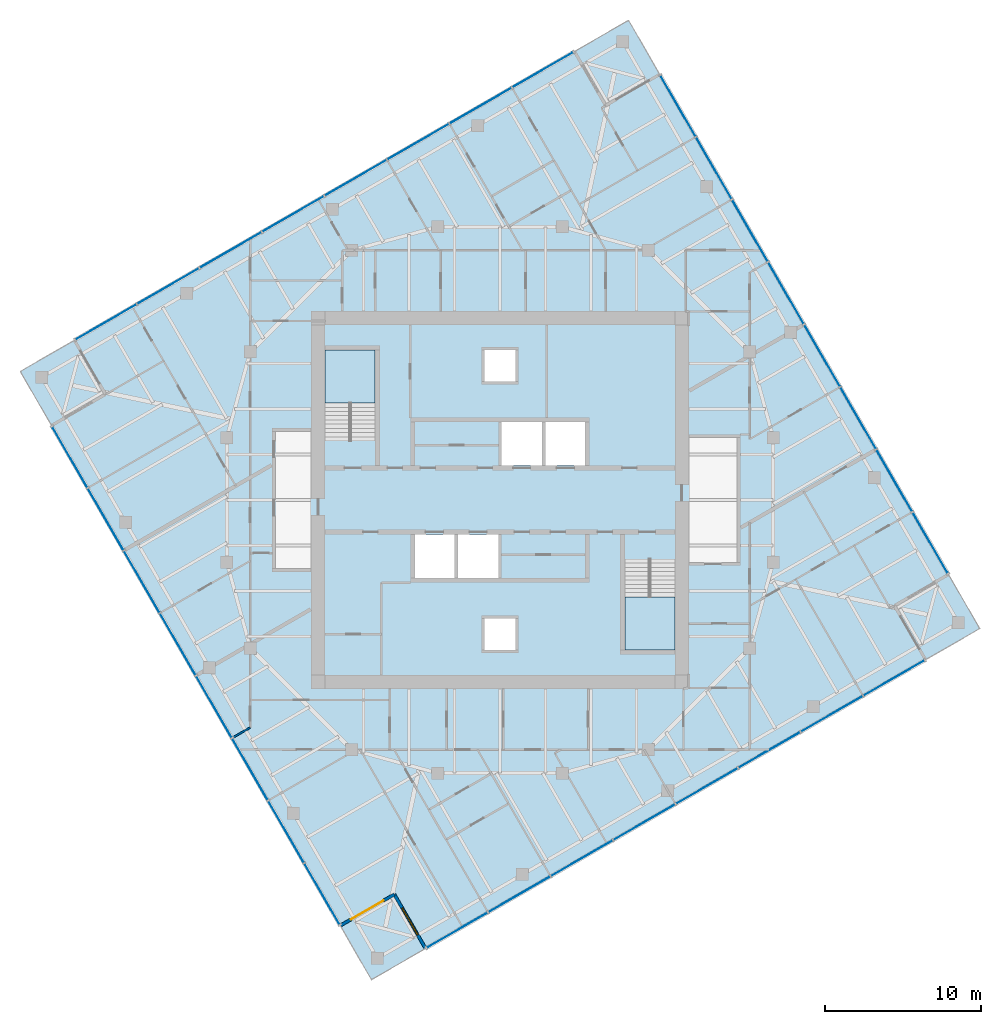
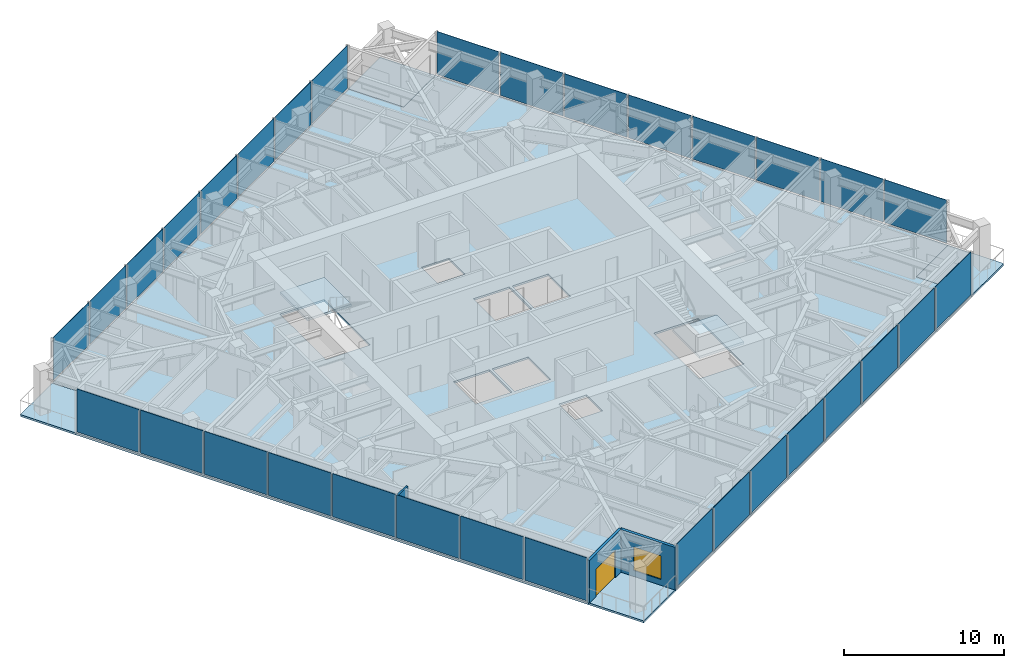
# One storey, part 6 of 12: 32 plates, 7 slabs, 3 walls, 1 door, 1 window, 2 openings, 6 elements without a shape of their own.
"""IFC4 building model written with IfcOpenShell, lengths in metres."""

from ifc_helpers import new_model, si_unit, direction, frame, frame_2d, origin, origin_2d, place, context, subcontext, project, spatial, polyline, rectangle, outline, extrude, material, layer, layer_set, type_object, element, fill, aggregate, save


model = new_model("IFC4")

# Units and contexts
model_context = context("Model", 3, precision=1e-05, world=origin(), true_north=direction((0.0, 1.0)))
body_context = subcontext(model_context, "Body", "Model", "MODEL_VIEW")
ifc_project = project(units=[si_unit("LENGTHUNIT", "METRE"), si_unit("AREAUNIT", "SQUARE_METRE"), si_unit("VOLUMEUNIT", "CUBIC_METRE"), si_unit("PLANEANGLEUNIT", "RADIAN"), si_unit("MASSUNIT", "GRAM", prefix="KILO")], contexts=[model_context])

# Site, building, storey
site_placement = place(None, origin())
site = spatial("IfcSite", under=ifc_project, at=site_placement, CompositionType="ELEMENT")
building_placement = place(site_placement, origin())
building = spatial("IfcBuilding", under=site, at=building_placement, Name="Torsade Residences", CompositionType="ELEMENT")
storey_placement = place(building_placement, frame((0.0, 0.0, 221.800048828125)))
storey = spatial("IfcBuildingStorey", under=building, at=storey_placement, Name="L61", CompositionType="ELEMENT", Elevation=221.800048828125)

# Slab
ifc_material_1 = material(Name="Concrete 40 MPa", Category="concrete")
ifc_layer_1 = layer(ifc_material_1, 0.14990234375)
ifc_layer_set_1 = layer_set([ifc_layer_1], Name="Concrete 40 MPa")
slab_type_1 = type_object("IfcSlabType", Name="COMPOSITE FLOOR SLAB 150", PredefinedType="FLOOR", material=ifc_layer_set_1)
slab_1_placement = place(storey_placement, frame((0.0, 0.0, -0.150146484375)))
element("IfcSlab", 1, at=slab_1_placement, inside=storey, type_object=slab_type_1, Name="Floor slab L61", PredefinedType="FLOOR", context=body_context, shape_type="SweptSolid", body=[
    extrude(outline(polyline([(35.228515625, 1.264404296875), (67.271484375, 19.764404296875), (65.271484375, 23.228515625), (68.735595703125, 25.228515625), (50.235595703125, 57.271484375), (46.771484375, 55.271484375), (44.771484375, 58.735595703125), (12.728515625, 40.235595703125), (14.728515625, 36.771484375), (11.264404296875, 34.771484375), (29.764404296875, 2.728515625), (33.228515625, 4.728515625), (35.228515625, 1.264404296875)]), holes=[polyline([(51.199951171875, 26.1201171875), (48.0, 26.1201171875), (48.0, 20.39990234375), (51.199951171875, 20.39990234375), (51.199951171875, 26.1201171875)]), polyline([(45.5, 35.0), (42.89990234375, 35.0), (42.89990234375, 32.199951171875), (45.5, 32.199951171875), (45.5, 35.0)]), polyline([(42.699951171875, 35.0), (40.10009765625, 35.0), (40.10009765625, 32.199951171875), (42.699951171875, 32.199951171875), (42.699951171875, 35.0)]), polyline([(41.0, 22.39990234375), (39.0, 22.39990234375), (39.0, 20.39990234375), (41.0, 20.39990234375), (41.0, 22.39990234375)]), polyline([(41.0, 39.60009765625), (39.0, 39.60009765625), (39.0, 37.60009765625), (41.0, 37.60009765625), (41.0, 39.60009765625)]), polyline([(39.89990234375, 27.800048828125), (37.300048828125, 27.800048828125), (37.300048828125, 25.0), (39.89990234375, 25.0), (39.89990234375, 27.800048828125)]), polyline([(37.10009765625, 27.800048828125), (34.5, 27.800048828125), (34.5, 25.0), (37.10009765625, 25.0), (37.10009765625, 27.800048828125)]), polyline([(32.0, 39.60009765625), (28.800048828125, 39.60009765625), (28.800048828125, 33.8798828125), (32.0, 33.8798828125), (32.0, 39.60009765625)])]), origin(), (0.0, 0.0, 1.0), 0.150146484375),
])

# Curtain wall, plates
ifc_material_2 = material(Name="Aluminium and glass", Category="aluminium")
curtain_wall_type = type_object("IfcCurtainWallType", Name="FRITTED GLASS CURTAIN WALL HIGH ZONE", PredefinedType="NOTDEFINED", material=ifc_material_2)
curtain_wall_1_placement = place(storey_placement, origin())
curtain_wall_1 = element("IfcCurtainWall", 2, at=curtain_wall_1_placement, inside=storey, type_object=curtain_wall_type, Name="Curtain wall L61 face 1", PredefinedType="NOTDEFINED")
ifc_material_3 = material(Name="Laminated glass", Category="glass")
ifc_layer_2 = layer(ifc_material_3, 0.031982421875)
ifc_layer_set_2 = layer_set([ifc_layer_2], Name="Laminated glass")
plate_type_1 = type_object("IfcPlateType", Name="FRITTED GLASS PANEL", PredefinedType="CURTAIN_PANEL", material=ifc_layer_set_2)
plate_1_placement = place(storey_placement, frame((37.2529296875, 2.43310546875, 0.1201171875), z_axis=(0.0, 0.0, 1.0), x_axis=(0.866025404186, 0.499999999305, 0.0)))
plate_1 = element("IfcPlate", 3, at=plate_1_placement, type_object=plate_type_1, Name="Panel 1", PredefinedType="CURTAIN_PANEL", context=body_context, shape_type="SweptSolid", body=[
    extrude(rectangle(XDim=4.47509765625, YDim=0.031982421875, at=origin_2d()), origin(), (0.0, 0.0, 1.0), 3.280029296875),
])
plate_2_placement = place(storey_placement, frame((45.241943359375, 7.045654296875, 0.1201171875), z_axis=(0.0, 0.0, 1.0), x_axis=(0.866025404186, 0.499999999305, 0.0)))
plate_2 = element("IfcPlate", 4, at=plate_2_placement, type_object=plate_type_1, Name="Panel 3", PredefinedType="CURTAIN_PANEL", context=body_context, shape_type="SweptSolid", body=[
    extrude(rectangle(XDim=4.52490234375, YDim=0.031982421875, at=origin_2d()), origin(), (0.0, 0.0, 1.0), 3.280029296875),
])
plate_3_placement = place(storey_placement, frame((49.247314453125, 9.358154296875, 0.1201171875), z_axis=(0.0, 0.0, 1.0), x_axis=(0.866025404186, 0.499999999305, 0.0)))
plate_3 = element("IfcPlate", 5, at=plate_3_placement, type_object=plate_type_1, Name="Panel 4", PredefinedType="CURTAIN_PANEL", context=body_context, shape_type="SweptSolid", body=[
    extrude(rectangle(XDim=4.52490234375, YDim=0.031982421875, at=origin_2d()), origin(), (0.0, 0.0, 1.0), 3.280029296875),
])
plate_4_placement = place(storey_placement, frame((53.252685546875, 11.670654296875, 0.1201171875), z_axis=(0.0, 0.0, 1.0), x_axis=(0.866025404186, 0.499999999305, 0.0)))
plate_4 = element("IfcPlate", 6, at=plate_4_placement, type_object=plate_type_1, Name="Panel 5", PredefinedType="CURTAIN_PANEL", context=body_context, shape_type="SweptSolid", body=[
    extrude(rectangle(XDim=4.52490234375, YDim=0.031982421875, at=origin_2d()), origin(), (0.0, 0.0, 1.0), 3.280029296875),
])
plate_5_placement = place(storey_placement, frame((61.263427734375, 16.295654296875, 0.1201171875), z_axis=(0.0, 0.0, 1.0), x_axis=(0.866025404186, 0.499999999305, 0.0)))
plate_5 = element("IfcPlate", 7, at=plate_5_placement, type_object=plate_type_1, Name="Panel 7", PredefinedType="CURTAIN_PANEL", context=body_context, shape_type="SweptSolid", body=[
    extrude(rectangle(XDim=4.52490234375, YDim=0.031982421875, at=origin_2d()), origin(), (0.0, 0.0, 1.0), 3.280029296875),
])
plate_6_placement = place(storey_placement, frame((65.2470703125, 18.595703125, 0.1201171875), z_axis=(0.0, 0.0, 1.0), x_axis=(0.866025404186, 0.499999999305, 0.0)))
plate_6 = element("IfcPlate", 8, at=plate_6_placement, type_object=plate_type_1, Name="Panel 8", PredefinedType="CURTAIN_PANEL", context=body_context, shape_type="SweptSolid", body=[
    extrude(rectangle(XDim=4.47509765625, YDim=0.031982421875, at=origin_2d()), origin(), (0.0, 0.0, 1.0), 3.280029296875),
])

curtain_wall_2_placement = place(storey_placement, origin())
curtain_wall_2 = element("IfcCurtainWall", 9, at=curtain_wall_2_placement, inside=storey, type_object=curtain_wall_type, Name="Curtain wall L61 face 4", PredefinedType="NOTDEFINED")
plate_7_placement = place(storey_placement, frame((67.56689453125, 27.2529296875, 0.1201171875), z_axis=(0.0, 0.0, 1.0), x_axis=(-0.499999999305, 0.866025404186, 0.0)))
plate_7 = element("IfcPlate", 10, at=plate_7_placement, type_object=plate_type_1, Name="Panel 1", PredefinedType="CURTAIN_PANEL", context=body_context, shape_type="SweptSolid", body=[
    extrude(rectangle(XDim=4.47509765625, YDim=0.031982421875, at=origin_2d()), origin(), (0.0, 0.0, 1.0), 3.280029296875),
])
plate_8_placement = place(storey_placement, frame((62.954345703125, 35.241943359375, 0.1201171875), z_axis=(0.0, 0.0, 1.0), x_axis=(-0.499999999305, 0.866025404186, 0.0)))
plate_8 = element("IfcPlate", 11, at=plate_8_placement, type_object=plate_type_1, Name="Panel 3", PredefinedType="CURTAIN_PANEL", context=body_context, shape_type="SweptSolid", body=[
    extrude(rectangle(XDim=4.52490234375, YDim=0.031982421875, at=origin_2d()), origin(), (0.0, 0.0, 1.0), 3.280029296875),
])
plate_9_placement = place(storey_placement, frame((60.641845703125, 39.247314453125, 0.1201171875), z_axis=(0.0, 0.0, 1.0), x_axis=(-0.499999999305, 0.866025404186, 0.0)))
plate_9 = element("IfcPlate", 12, at=plate_9_placement, type_object=plate_type_1, Name="Panel 4", PredefinedType="CURTAIN_PANEL", context=body_context, shape_type="SweptSolid", body=[
    extrude(rectangle(XDim=4.52490234375, YDim=0.031982421875, at=origin_2d()), origin(), (0.0, 0.0, 1.0), 3.280029296875),
])
plate_10_placement = place(storey_placement, frame((58.329345703125, 43.252685546875, 0.1201171875), z_axis=(0.0, 0.0, 1.0), x_axis=(-0.499999999305, 0.866025404186, 0.0)))
plate_10 = element("IfcPlate", 13, at=plate_10_placement, type_object=plate_type_1, Name="Panel 5", PredefinedType="CURTAIN_PANEL", context=body_context, shape_type="SweptSolid", body=[
    extrude(rectangle(XDim=4.52490234375, YDim=0.031982421875, at=origin_2d()), origin(), (0.0, 0.0, 1.0), 3.280029296875),
])
plate_11_placement = place(storey_placement, frame((53.704345703125, 51.263427734375, 0.1201171875), z_axis=(0.0, 0.0, 1.0), x_axis=(-0.499999999305, 0.866025404186, 0.0)))
plate_11 = element("IfcPlate", 14, at=plate_11_placement, type_object=plate_type_1, Name="Panel 7", PredefinedType="CURTAIN_PANEL", context=body_context, shape_type="SweptSolid", body=[
    extrude(rectangle(XDim=4.52490234375, YDim=0.031982421875, at=origin_2d()), origin(), (0.0, 0.0, 1.0), 3.280029296875),
])
plate_12_placement = place(storey_placement, frame((51.404296875, 55.2470703125, 0.1201171875), z_axis=(0.0, 0.0, 1.0), x_axis=(-0.499999999305, 0.866025404186, 0.0)))
plate_12 = element("IfcPlate", 15, at=plate_12_placement, type_object=plate_type_1, Name="Panel 8", PredefinedType="CURTAIN_PANEL", context=body_context, shape_type="SweptSolid", body=[
    extrude(rectangle(XDim=4.47509765625, YDim=0.031982421875, at=origin_2d()), origin(), (0.0, 0.0, 1.0), 3.280029296875),
])

curtain_wall_3_placement = place(storey_placement, origin())
curtain_wall_3 = element("IfcCurtainWall", 16, at=curtain_wall_3_placement, inside=storey, type_object=curtain_wall_type, Name="Curtain wall L61 face 7", PredefinedType="NOTDEFINED")
plate_13_placement = place(storey_placement, frame((42.7470703125, 57.56689453125, 0.1201171875), z_axis=(0.0, 0.0, 1.0), x_axis=(-0.866025404186, -0.499999999305, 0.0)))
plate_13 = element("IfcPlate", 17, at=plate_13_placement, type_object=plate_type_1, Name="Panel 1", PredefinedType="CURTAIN_PANEL", context=body_context, shape_type="SweptSolid", body=[
    extrude(rectangle(XDim=4.47509765625, YDim=0.031982421875, at=origin_2d()), origin(), (0.0, 0.0, 1.0), 3.280029296875),
])
plate_14_placement = place(storey_placement, frame((34.758056640625, 52.954345703125, 0.1201171875), z_axis=(0.0, 0.0, 1.0), x_axis=(-0.866025404186, -0.499999999305, 0.0)))
plate_14 = element("IfcPlate", 18, at=plate_14_placement, type_object=plate_type_1, Name="Panel 3", PredefinedType="CURTAIN_PANEL", context=body_context, shape_type="SweptSolid", body=[
    extrude(rectangle(XDim=4.52490234375, YDim=0.031982421875, at=origin_2d()), origin(), (0.0, 0.0, 1.0), 3.280029296875),
])
plate_15_placement = place(storey_placement, frame((30.752685546875, 50.641845703125, 0.1201171875), z_axis=(0.0, 0.0, 1.0), x_axis=(-0.866025404186, -0.499999999305, 0.0)))
plate_15 = element("IfcPlate", 19, at=plate_15_placement, type_object=plate_type_1, Name="Panel 4", PredefinedType="CURTAIN_PANEL", context=body_context, shape_type="SweptSolid", body=[
    extrude(rectangle(XDim=4.52490234375, YDim=0.031982421875, at=origin_2d()), origin(), (0.0, 0.0, 1.0), 3.280029296875),
])
plate_16_placement = place(storey_placement, frame((26.747314453125, 48.329345703125, 0.1201171875), z_axis=(0.0, 0.0, 1.0), x_axis=(-0.866025404186, -0.499999999305, 0.0)))
plate_16 = element("IfcPlate", 20, at=plate_16_placement, type_object=plate_type_1, Name="Panel 5", PredefinedType="CURTAIN_PANEL", context=body_context, shape_type="SweptSolid", body=[
    extrude(rectangle(XDim=4.52490234375, YDim=0.031982421875, at=origin_2d()), origin(), (0.0, 0.0, 1.0), 3.280029296875),
])
plate_17_placement = place(storey_placement, frame((18.736572265625, 43.704345703125, 0.1201171875), z_axis=(0.0, 0.0, 1.0), x_axis=(-0.866025404186, -0.499999999305, 0.0)))
plate_17 = element("IfcPlate", 21, at=plate_17_placement, type_object=plate_type_1, Name="Panel 7", PredefinedType="CURTAIN_PANEL", context=body_context, shape_type="SweptSolid", body=[
    extrude(rectangle(XDim=4.52490234375, YDim=0.031982421875, at=origin_2d()), origin(), (0.0, 0.0, 1.0), 3.280029296875),
])
plate_18_placement = place(storey_placement, frame((14.7529296875, 41.404296875, 0.1201171875), z_axis=(0.0, 0.0, 1.0), x_axis=(-0.866025404186, -0.499999999305, 0.0)))
plate_18 = element("IfcPlate", 22, at=plate_18_placement, type_object=plate_type_1, Name="Panel 8", PredefinedType="CURTAIN_PANEL", context=body_context, shape_type="SweptSolid", body=[
    extrude(rectangle(XDim=4.47509765625, YDim=0.031982421875, at=origin_2d()), origin(), (0.0, 0.0, 1.0), 3.280029296875),
])

curtain_wall_4_placement = place(storey_placement, origin())
curtain_wall_4 = element("IfcCurtainWall", 23, at=curtain_wall_4_placement, inside=storey, type_object=curtain_wall_type, Name="Curtain wall L61 face 10", PredefinedType="NOTDEFINED")
plate_19_placement = place(storey_placement, frame((12.43310546875, 32.7470703125, 0.1201171875), z_axis=(0.0, 0.0, 1.0), x_axis=(0.499999999305, -0.866025404186, 0.0)))
plate_19 = element("IfcPlate", 24, at=plate_19_placement, type_object=plate_type_1, Name="Panel 1", PredefinedType="CURTAIN_PANEL", context=body_context, shape_type="SweptSolid", body=[
    extrude(rectangle(XDim=4.47509765625, YDim=0.031982421875, at=origin_2d()), origin(), (0.0, 0.0, 1.0), 3.280029296875),
])
plate_20_placement = place(storey_placement, frame((17.045654296875, 24.758056640625, 0.1201171875), z_axis=(0.0, 0.0, 1.0), x_axis=(0.499999999305, -0.866025404186, 0.0)))
plate_20 = element("IfcPlate", 25, at=plate_20_placement, type_object=plate_type_1, Name="Panel 3", PredefinedType="CURTAIN_PANEL", context=body_context, shape_type="SweptSolid", body=[
    extrude(rectangle(XDim=4.52490234375, YDim=0.031982421875, at=origin_2d()), origin(), (0.0, 0.0, 1.0), 3.280029296875),
])
plate_21_placement = place(storey_placement, frame((19.358154296875, 20.752685546875, 0.1201171875), z_axis=(0.0, 0.0, 1.0), x_axis=(0.499999999305, -0.866025404186, 0.0)))
plate_21 = element("IfcPlate", 26, at=plate_21_placement, type_object=plate_type_1, Name="Panel 4", PredefinedType="CURTAIN_PANEL", context=body_context, shape_type="SweptSolid", body=[
    extrude(rectangle(XDim=4.52490234375, YDim=0.031982421875, at=origin_2d()), origin(), (0.0, 0.0, 1.0), 3.280029296875),
])
plate_22_placement = place(storey_placement, frame((21.670654296875, 16.747314453125, 0.1201171875), z_axis=(0.0, 0.0, 1.0), x_axis=(0.499999999305, -0.866025404186, 0.0)))
plate_22 = element("IfcPlate", 27, at=plate_22_placement, type_object=plate_type_1, Name="Panel 5", PredefinedType="CURTAIN_PANEL", context=body_context, shape_type="SweptSolid", body=[
    extrude(rectangle(XDim=4.52490234375, YDim=0.031982421875, at=origin_2d()), origin(), (0.0, 0.0, 1.0), 3.280029296875),
])
plate_23_placement = place(storey_placement, frame((26.295654296875, 8.736572265625, 0.1201171875), z_axis=(0.0, 0.0, 1.0), x_axis=(0.499999999305, -0.866025404186, 0.0)))
plate_23 = element("IfcPlate", 28, at=plate_23_placement, type_object=plate_type_1, Name="Panel 7", PredefinedType="CURTAIN_PANEL", context=body_context, shape_type="SweptSolid", body=[
    extrude(rectangle(XDim=4.52490234375, YDim=0.031982421875, at=origin_2d()), origin(), (0.0, 0.0, 1.0), 3.280029296875),
])
plate_24_placement = place(storey_placement, frame((28.595703125, 4.7529296875, 0.1201171875), z_axis=(0.0, 0.0, 1.0), x_axis=(0.499999999305, -0.866025404186, 0.0)))
plate_24 = element("IfcPlate", 29, at=plate_24_placement, type_object=plate_type_1, Name="Panel 8", PredefinedType="CURTAIN_PANEL", context=body_context, shape_type="SweptSolid", body=[
    extrude(rectangle(XDim=4.47509765625, YDim=0.031982421875, at=origin_2d()), origin(), (0.0, 0.0, 1.0), 3.280029296875),
])

# Plate
ifc_material_4 = material(Name="Laminated glass", Category="glass")
ifc_layer_3 = layer(ifc_material_4, 0.0400390625)
ifc_layer_set_3 = layer_set([ifc_layer_3], Name="Laminated glass")
plate_type_2 = type_object("IfcPlateType", Name="OPERABLE VENT PANEL", PredefinedType="CURTAIN_PANEL", material=ifc_layer_set_3)
plate_25_placement = place(storey_placement, frame((41.236572265625, 4.733154296875, 0.1201171875), z_axis=(0.0, 0.0, 1.0), x_axis=(0.866025404186, 0.499999999305, 0.0)))
plate_25 = element("IfcPlate", 30, at=plate_25_placement, type_object=plate_type_2, Name="Panel 2", PredefinedType="CURTAIN_PANEL", context=body_context, shape_type="SweptSolid", body=[
    extrude(rectangle(XDim=4.52490234375, YDim=0.0400390625, at=origin_2d()), origin(), (0.0, 0.0, 1.0), 3.280029296875),
])

plate_26_placement = place(storey_placement, frame((57.258056640625, 13.983154296875, 0.1201171875), z_axis=(0.0, 0.0, 1.0), x_axis=(0.866025404186, 0.499999999305, 0.0)))
plate_26 = element("IfcPlate", 31, at=plate_26_placement, type_object=plate_type_2, Name="Panel 6", PredefinedType="CURTAIN_PANEL", context=body_context, shape_type="SweptSolid", body=[
    extrude(rectangle(XDim=4.52490234375, YDim=0.0400390625, at=origin_2d()), origin(), (0.0, 0.0, 1.0), 3.280029296875),
])

aggregate(curtain_wall_1, [plate_1, plate_25, plate_2, plate_3, plate_4, plate_26, plate_5, plate_6])

plate_27_placement = place(storey_placement, frame((65.266845703125, 31.236572265625, 0.1201171875), z_axis=(0.0, 0.0, 1.0), x_axis=(-0.499999999305, 0.866025404186, 0.0)))
plate_27 = element("IfcPlate", 32, at=plate_27_placement, type_object=plate_type_2, Name="Panel 2", PredefinedType="CURTAIN_PANEL", context=body_context, shape_type="SweptSolid", body=[
    extrude(rectangle(XDim=4.52490234375, YDim=0.0400390625, at=origin_2d()), origin(), (0.0, 0.0, 1.0), 3.280029296875),
])

plate_28_placement = place(storey_placement, frame((56.016845703125, 47.258056640625, 0.1201171875), z_axis=(0.0, 0.0, 1.0), x_axis=(-0.499999999305, 0.866025404186, 0.0)))
plate_28 = element("IfcPlate", 33, at=plate_28_placement, type_object=plate_type_2, Name="Panel 6", PredefinedType="CURTAIN_PANEL", context=body_context, shape_type="SweptSolid", body=[
    extrude(rectangle(XDim=4.52490234375, YDim=0.0400390625, at=origin_2d()), origin(), (0.0, 0.0, 1.0), 3.280029296875),
])

aggregate(curtain_wall_2, [plate_7, plate_27, plate_8, plate_9, plate_10, plate_28, plate_11, plate_12])

plate_29_placement = place(storey_placement, frame((38.763427734375, 55.266845703125, 0.1201171875), z_axis=(0.0, 0.0, 1.0), x_axis=(-0.866025404186, -0.499999999305, 0.0)))
plate_29 = element("IfcPlate", 34, at=plate_29_placement, type_object=plate_type_2, Name="Panel 2", PredefinedType="CURTAIN_PANEL", context=body_context, shape_type="SweptSolid", body=[
    extrude(rectangle(XDim=4.52490234375, YDim=0.0400390625, at=origin_2d()), origin(), (0.0, 0.0, 1.0), 3.280029296875),
])

plate_30_placement = place(storey_placement, frame((22.741943359375, 46.016845703125, 0.1201171875), z_axis=(0.0, 0.0, 1.0), x_axis=(-0.866025404186, -0.499999999305, 0.0)))
plate_30 = element("IfcPlate", 35, at=plate_30_placement, type_object=plate_type_2, Name="Panel 6", PredefinedType="CURTAIN_PANEL", context=body_context, shape_type="SweptSolid", body=[
    extrude(rectangle(XDim=4.52490234375, YDim=0.0400390625, at=origin_2d()), origin(), (0.0, 0.0, 1.0), 3.280029296875),
])

aggregate(curtain_wall_3, [plate_13, plate_29, plate_14, plate_15, plate_16, plate_30, plate_17, plate_18])

plate_31_placement = place(storey_placement, frame((14.733154296875, 28.763427734375, 0.1201171875), z_axis=(0.0, 0.0, 1.0), x_axis=(0.499999999305, -0.866025404186, 0.0)))
plate_31 = element("IfcPlate", 36, at=plate_31_placement, type_object=plate_type_2, Name="Panel 2", PredefinedType="CURTAIN_PANEL", context=body_context, shape_type="SweptSolid", body=[
    extrude(rectangle(XDim=4.52490234375, YDim=0.0400390625, at=origin_2d()), origin(), (0.0, 0.0, 1.0), 3.280029296875),
])

plate_32_placement = place(storey_placement, frame((23.983154296875, 12.741943359375, 0.1201171875), z_axis=(0.0, 0.0, 1.0), x_axis=(0.499999999305, -0.866025404186, 0.0)))
plate_32 = element("IfcPlate", 37, at=plate_32_placement, type_object=plate_type_2, Name="Panel 6", PredefinedType="CURTAIN_PANEL", context=body_context, shape_type="SweptSolid", body=[
    extrude(rectangle(XDim=4.52490234375, YDim=0.0400390625, at=origin_2d()), origin(), (0.0, 0.0, 1.0), 3.280029296875),
])

aggregate(curtain_wall_4, [plate_19, plate_31, plate_20, plate_21, plate_22, plate_32, plate_23, plate_24])

# Stair, slab
ifc_material_5 = material(Name="Precast concrete 40 MPa", Category="concrete")
stair_type = type_object("IfcStairType", Name="HALF-TURN FIRE STAIR 1500x3400", PredefinedType="HALF_TURN_STAIR", material=ifc_material_5)
stair_1_placement = place(storey_placement, origin())
stair_1 = element("IfcStair", 38, at=stair_1_placement, inside=storey, type_object=stair_type, Name="Stair ST1 L61", PredefinedType="HALF_TURN_STAIR")
ifc_material_6 = material(Name="Precast concrete 40 MPa", Category="concrete")
ifc_layer_4 = layer(ifc_material_6, 0.179931640625)
ifc_layer_set_4 = layer_set([ifc_layer_4], Name="Precast concrete 40 MPa")
slab_type_2 = type_object("IfcSlabType", Name="PRECAST STAIR LANDING 180", PredefinedType="LANDING", material=ifc_layer_set_4)
slab_2_placement = place(storey_placement, frame((0.0, 0.0, 1.52001953125)))
slab_2 = element("IfcSlab", 39, at=slab_2_placement, type_object=slab_type_2, Name="ST1 landing 1", PredefinedType="LANDING", context=body_context, shape_type="SweptSolid", body=[
    extrude(outline(polyline([(28.800048828125, 36.2099609375), (32.0, 36.2099609375), (32.0, 39.60009765625), (28.800048828125, 39.60009765625), (28.800048828125, 36.2099609375)])), origin(), (0.0, 0.0, 1.0), 0.179931640625),
])
aggregate(stair_1, [slab_2])

stair_2_placement = place(storey_placement, origin())
stair_2 = element("IfcStair", 40, at=stair_2_placement, inside=storey, type_object=stair_type, Name="Stair ST2 L61", PredefinedType="HALF_TURN_STAIR")
slab_3_placement = place(storey_placement, frame((0.0, 0.0, 1.52001953125)))
slab_3 = element("IfcSlab", 41, at=slab_3_placement, type_object=slab_type_2, Name="ST2 landing 1", PredefinedType="LANDING", context=body_context, shape_type="SweptSolid", body=[
    extrude(outline(polyline([(48.0, 20.39990234375), (51.199951171875, 20.39990234375), (51.199951171875, 23.7900390625), (48.0, 23.7900390625), (48.0, 20.39990234375)])), origin(), (0.0, 0.0, 1.0), 0.179931640625),
])
aggregate(stair_2, [slab_3])

# Slabs
ifc_material_7 = material(Name="Concrete 40 MPa", Category="concrete")
ifc_layer_5 = layer(ifc_material_7, 0.14990234375)
ifc_layer_set_5 = layer_set([ifc_layer_5], Name="Concrete 40 MPa")
slab_type_3 = type_object("IfcSlabType", Name="TERRACE SLAB 150", PredefinedType="FLOOR", material=ifc_layer_set_5)
slab_4_placement = place(storey_placement, frame((0.0, 0.0, -0.150146484375)))
element("IfcSlab", 42, at=slab_4_placement, inside=storey, type_object=slab_type_3, Name="Corner terrace slab SE L61", PredefinedType="FLOOR", context=body_context, shape_type="SweptSolid", body=[
    extrude(outline(polyline([(67.271484375, 19.764404296875), (70.735595703125, 21.764404296875), (68.735595703125, 25.228515625), (65.271484375, 23.228515625), (67.271484375, 19.764404296875)])), origin(), (0.0, 0.0, 1.0), 0.150146484375),
])
slab_5_placement = place(storey_placement, frame((0.0, 0.0, -0.150146484375)))
element("IfcSlab", 43, at=slab_5_placement, inside=storey, type_object=slab_type_3, Name="Corner terrace slab NE L61", PredefinedType="FLOOR", context=body_context, shape_type="SweptSolid", body=[
    extrude(outline(polyline([(46.771484375, 55.271484375), (50.235595703125, 57.271484375), (48.235595703125, 60.735595703125), (44.771484375, 58.735595703125), (46.771484375, 55.271484375)])), origin(), (0.0, 0.0, 1.0), 0.150146484375),
])
slab_6_placement = place(storey_placement, frame((0.0, 0.0, -0.150146484375)))
element("IfcSlab", 44, at=slab_6_placement, inside=storey, type_object=slab_type_3, Name="Corner terrace slab NW L61", PredefinedType="FLOOR", context=body_context, shape_type="SweptSolid", body=[
    extrude(outline(polyline([(11.264404296875, 34.771484375), (14.728515625, 36.771484375), (12.728515625, 40.235595703125), (9.264404296875, 38.235595703125), (11.264404296875, 34.771484375)])), origin(), (0.0, 0.0, 1.0), 0.150146484375),
])
slab_7_placement = place(storey_placement, frame((0.0, 0.0, -0.150146484375)))
element("IfcSlab", 45, at=slab_7_placement, inside=storey, type_object=slab_type_3, Name="Corner terrace slab SW L61", PredefinedType="FLOOR", context=body_context, shape_type="SweptSolid", body=[
    extrude(outline(polyline([(31.764404296875, -0.735595703125), (35.228515625, 1.264404296875), (33.228515625, 4.728515625), (29.764404296875, 2.728515625), (31.764404296875, -0.735595703125)])), origin(), (0.0, 0.0, 1.0), 0.150146484375),
])

# Wall
ifc_material_8 = material(Name="Plasterboard on steel stud", Category="steel")
ifc_layer_6 = layer(ifc_material_8, 0.1201171875)
ifc_layer_set_6 = layer_set([ifc_layer_6], Name="Plasterboard on steel stud")
wall_type_1 = type_object("IfcWallType", Name="PARTITION 120", PredefinedType="PARTITIONING", material=ifc_layer_set_6)
wall_1_placement = place(storey_placement, frame((22.861572265625, 14.7646484375, 0.0), z_axis=(0.0, 0.0, 1.0), x_axis=(0.866040225545, 0.499974327079, 0.0)))
element("IfcWall", 46, at=wall_1_placement, inside=storey, type_object=wall_type_1, Name="Partition L61", PredefinedType="PARTITIONING", context=body_context, shape_type="SweptSolid", body=[
    extrude(rectangle(XDim=1.314453125, YDim=0.1201171875, at=frame_2d((0.6572265625, 0.0))), origin(), (0.0, 0.0, 1.0), 3.25),
])

# Wall, opening, door
ifc_material_9 = material(Name="Stone-faced precast concrete 40 MPa panel", Category="masonry")
ifc_layer_7 = layer(ifc_material_9, 0.199951171875)
ifc_layer_set_7 = layer_set([ifc_layer_7], Name="Stone-faced precast concrete 40 MPa panel")
wall_type_2 = type_object("IfcWallType", Name="TERRACE WALL 200", PredefinedType="SOLIDWALL", material=ifc_layer_set_7)
wall_2_placement = place(storey_placement, frame((29.764404296875, 2.728515625, 0.0), z_axis=(0.0, 0.0, 1.0), x_axis=(0.866026010844, 0.49999894854, 0.0)))
wall_2 = element("IfcWall", 47, at=wall_2_placement, inside=storey, type_object=wall_type_2, Name="Terrace wall L61 11", PredefinedType="SOLIDWALL", context=body_context, shape_type="SweptSolid", body=[
    extrude(rectangle(XDim=4.0, YDim=0.199951171875, at=frame_2d((2.0, 0.0))), origin(), (0.0, 0.0, 1.0), 3.25),
])
opening_1_placement = place(wall_2_placement, frame((0.800048828125, 0.0, 0.0)))
opening_1 = element("IfcOpeningElement", 48, at=opening_1_placement, cuts=wall_2, Name="Opening D10A", PredefinedType="OPENING", context=body_context, shape_type="SweptSolid", body=[
    extrude(rectangle(XDim=2.39990234375, YDim=2.10009765625, at=frame_2d((1.199951171875, 1.050048828125))), frame((0.0, 0.10986328125, 0.0), z_axis=(0.0, -1.0, 0.0), x_axis=(1.0, 0.0, 0.0)), (0.0, 0.0, 1.0), 0.219970703125),
])
ifc_material_10 = material(Name="Aluminium-framed glass door", Category="aluminium")
door_type = type_object("IfcDoorType", Name="TERRACE SLIDING DOOR 2400x2100", OperationType="SLIDING_TO_LEFT", PredefinedType="DOOR", material=ifc_material_10)
door_placement = place(opening_1_placement, origin())
door = element("IfcDoor", 49, at=door_placement, inside=storey, type_object=door_type, Name="Terrace door L61 11", OperationType="SLIDING_TO_LEFT", OverallHeight=2.10009765625, OverallWidth=2.39990234375, PredefinedType="DOOR", context=body_context, shape_type="SweptSolid", body=[
    extrude(rectangle(XDim=2.39990234375, YDim=2.10009765625, at=frame_2d((1.199951171875, 1.050048828125))), frame((0.0, 0.02490234375, 0.0), z_axis=(0.0, -1.0, 0.0), x_axis=(1.0, 0.0, 0.0)), (0.0, 0.0, 1.0), 0.050048828125),
])
fill(opening_1, door)

# Wall, opening, window
wall_3_placement = place(storey_placement, frame((33.228515625, 4.728515625, 0.0), z_axis=(0.0, 0.0, 1.0), x_axis=(0.49999894854, -0.866026010844, 0.0)))
wall_3 = element("IfcWall", 50, at=wall_3_placement, inside=storey, type_object=wall_type_2, Name="Terrace wall L61 12", PredefinedType="SOLIDWALL", context=body_context, shape_type="SweptSolid", body=[
    extrude(rectangle(XDim=4.0, YDim=0.199951171875, at=frame_2d((2.0, 0.0))), origin(), (0.0, 0.0, 1.0), 3.25),
])
opening_2_placement = place(wall_3_placement, frame((1.0, 0.0, 0.449951171875)))
opening_2 = element("IfcOpeningElement", 51, at=opening_2_placement, cuts=wall_3, Name="Opening W1B", PredefinedType="OPENING", context=body_context, shape_type="SweptSolid", body=[
    extrude(rectangle(XDim=2.0, YDim=1.800048828125, at=frame_2d((1.0, 0.89990234375))), frame((0.0, 0.10986328125, 0.0), z_axis=(0.0, -1.0, 0.0), x_axis=(1.0, 0.0, 0.0)), (0.0, 0.0, 1.0), 0.219970703125),
])
ifc_material_11 = material(Name="Aluminium-framed glass window", Category="aluminium")
window_type = type_object("IfcWindowType", Name="TERRACE WINDOW 2000x1800", PartitioningType="SINGLE_PANEL", PredefinedType="WINDOW", material=ifc_material_11)
window_placement = place(opening_2_placement, origin())
window = element("IfcWindow", 52, at=window_placement, inside=storey, type_object=window_type, Name="Terrace window L61 12", OverallHeight=1.800048828125, OverallWidth=2.0, PartitioningType="SINGLE_PANEL", PredefinedType="WINDOW", context=body_context, shape_type="SweptSolid", body=[
    extrude(rectangle(XDim=2.0, YDim=1.800048828125, at=frame_2d((1.0, 0.89990234375))), frame((0.0, 0.030029296875, 0.0), z_axis=(0.0, -1.0, 0.0), x_axis=(1.0, 0.0, 0.0)), (0.0, 0.0, 1.0), 0.06005859375),
])
fill(opening_2, window)

save(model, "model.ifc")
